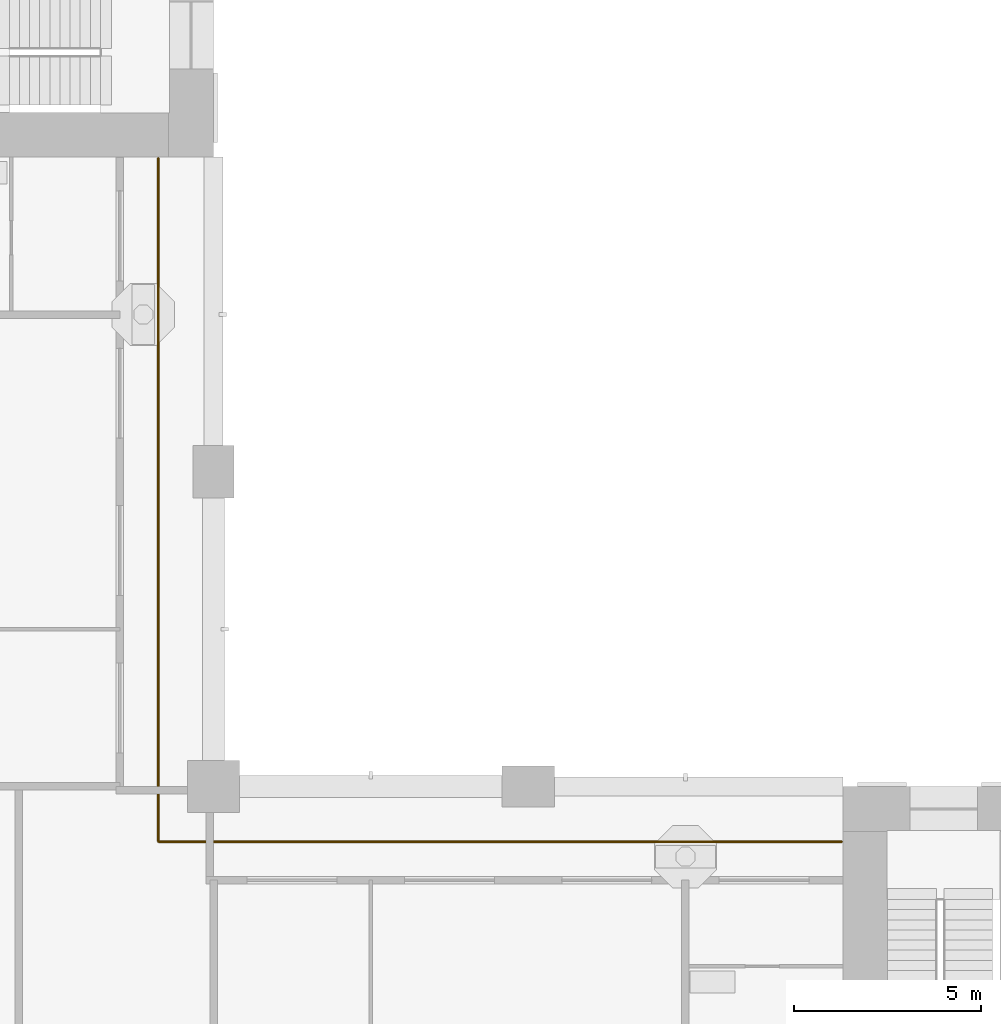
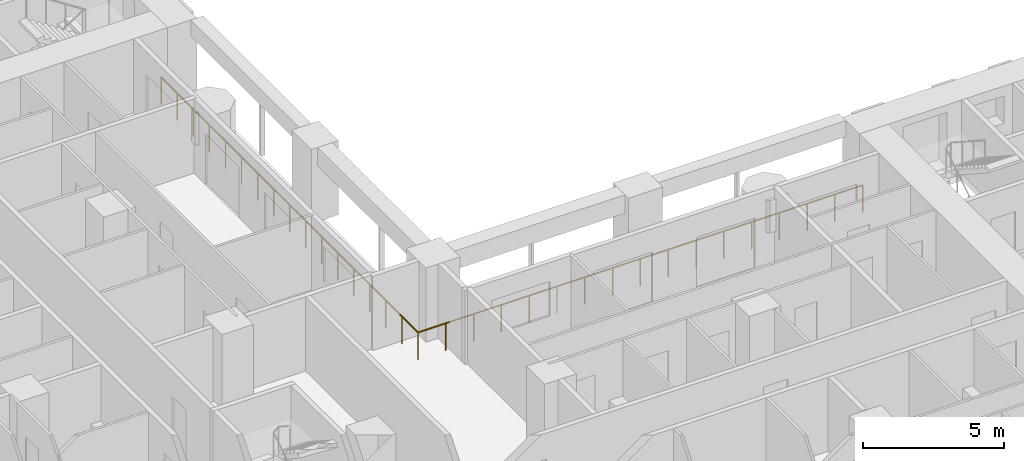
# One storey, part 17 of 21: 1 railing.
"""IFC4 building model written with IfcOpenShell, lengths in metres."""

from ifc_helpers import new_model, si_unit, direction, frame, origin, origin_2d, place, context, subcontext, project, spatial, circle, extrude, material, type_object, element, save


model = new_model("IFC4")

# Units and contexts
model_context = context("Model", 3, precision=1e-05, world=origin(), true_north=direction((0.0, 1.0)))
body_context = subcontext(model_context, "Body", "Model", "MODEL_VIEW")
ifc_project = project(units=[si_unit("LENGTHUNIT", "METRE"), si_unit("AREAUNIT", "SQUARE_METRE"), si_unit("VOLUMEUNIT", "CUBIC_METRE"), si_unit("PLANEANGLEUNIT", "RADIAN"), si_unit("MASSUNIT", "GRAM", prefix="KILO")], contexts=[model_context])

# Site, building, storey
site_placement = place(None, origin())
site = spatial("IfcSite", under=ifc_project, at=site_placement, CompositionType="ELEMENT")
building_placement = place(site_placement, origin())
building = spatial("IfcBuilding", under=site, at=building_placement, Name="Vermilion Gate Residences", CompositionType="ELEMENT")
storey_placement = place(building_placement, frame((0.0, 0.0, 67.199951171875)))
storey = spatial("IfcBuildingStorey", under=building, at=storey_placement, Name="L16", CompositionType="ELEMENT", Elevation=67.199951171875)

# Railing
ifc_material = material(Name="Stainless steel and toughened glass", Category="steel")
railing_type = type_object("IfcRailingType", Name="LOGGIA GUARD STEEL AND GLASS 1200", PredefinedType="GUARDRAIL", material=ifc_material)
railing_placement = place(storey_placement, frame((41.97802734375, 23.72509765625, 0.0)))
element("IfcRailing", 1, at=railing_placement, inside=storey, type_object=railing_type, Name="Loggia guard", PredefinedType="GUARDRAIL", context=body_context, shape_type="SweptSolid", body=[
    extrude(circle(Radius=0.030029296875, at=origin_2d()), frame((0.0, 0.0, 1.169921875), z_axis=(-1.0, 0.0, 0.0), x_axis=(0.0, -1.0, 0.0)), (0.0, 0.0, 1.0), 18.2529296875),
    extrude(circle(Radius=0.030029296875, at=origin_2d()), frame((-18.2529296875, 0.0, 1.169921875), z_axis=(0.0, 1.0, 0.0), x_axis=(-1.0, 0.0, 0.0)), (0.0, 0.0, 1.0), 18.2529296875),
    extrude(circle(Radius=0.02490234375, at=origin_2d()), origin(), (0.0, 0.0, 1.0), 1.139892578125),
    extrude(circle(Radius=0.02490234375, at=origin_2d()), frame((-1.140869140625, 0.0, 0.0)), (0.0, 0.0, 1.0), 1.139892578125),
    extrude(circle(Radius=0.02490234375, at=origin_2d()), frame((-2.28173828125, 0.0, 0.0)), (0.0, 0.0, 1.0), 1.139892578125),
    extrude(circle(Radius=0.02490234375, at=origin_2d()), frame((-3.42236328125, 0.0, 0.0)), (0.0, 0.0, 1.0), 1.139892578125),
    extrude(circle(Radius=0.02490234375, at=origin_2d()), frame((-4.563232421875, 0.0, 0.0)), (0.0, 0.0, 1.0), 1.139892578125),
    extrude(circle(Radius=0.02490234375, at=origin_2d()), frame((-5.7041015625, 0.0, 0.0)), (0.0, 0.0, 1.0), 1.139892578125),
    extrude(circle(Radius=0.02490234375, at=origin_2d()), frame((-6.8447265625, 0.0, 0.0)), (0.0, 0.0, 1.0), 1.139892578125),
    extrude(circle(Radius=0.02490234375, at=origin_2d()), frame((-7.985595703125, 0.0, 0.0)), (0.0, 0.0, 1.0), 1.139892578125),
    extrude(circle(Radius=0.02490234375, at=origin_2d()), frame((-9.12646484375, 0.0, 0.0)), (0.0, 0.0, 1.0), 1.139892578125),
    extrude(circle(Radius=0.02490234375, at=origin_2d()), frame((-10.267333984375, 0.0, 0.0)), (0.0, 0.0, 1.0), 1.139892578125),
    extrude(circle(Radius=0.02490234375, at=origin_2d()), frame((-11.408203125, 0.0, 0.0)), (0.0, 0.0, 1.0), 1.139892578125),
    extrude(circle(Radius=0.02490234375, at=origin_2d()), frame((-12.548828125, 0.0, 0.0)), (0.0, 0.0, 1.0), 1.139892578125),
    extrude(circle(Radius=0.02490234375, at=origin_2d()), frame((-13.689697265625, 0.0, 0.0)), (0.0, 0.0, 1.0), 1.139892578125),
    extrude(circle(Radius=0.02490234375, at=origin_2d()), frame((-14.83056640625, 0.0, 0.0)), (0.0, 0.0, 1.0), 1.139892578125),
    extrude(circle(Radius=0.02490234375, at=origin_2d()), frame((-15.97119140625, 0.0, 0.0)), (0.0, 0.0, 1.0), 1.139892578125),
    extrude(circle(Radius=0.02490234375, at=origin_2d()), frame((-17.112060546875, 0.0, 0.0)), (0.0, 0.0, 1.0), 1.139892578125),
    extrude(circle(Radius=0.02490234375, at=origin_2d()), frame((-18.2529296875, 0.0, 0.0)), (0.0, 0.0, 1.0), 1.139892578125),
    extrude(circle(Radius=0.02490234375, at=origin_2d()), frame((-18.2529296875, 1.140869140625, 0.0)), (0.0, 0.0, 1.0), 1.139892578125),
    extrude(circle(Radius=0.02490234375, at=origin_2d()), frame((-18.2529296875, 2.28173828125, 0.0)), (0.0, 0.0, 1.0), 1.139892578125),
    extrude(circle(Radius=0.02490234375, at=origin_2d()), frame((-18.2529296875, 3.42236328125, 0.0)), (0.0, 0.0, 1.0), 1.139892578125),
    extrude(circle(Radius=0.02490234375, at=origin_2d()), frame((-18.2529296875, 4.563232421875, 0.0)), (0.0, 0.0, 1.0), 1.139892578125),
    extrude(circle(Radius=0.02490234375, at=origin_2d()), frame((-18.2529296875, 5.7041015625, 0.0)), (0.0, 0.0, 1.0), 1.139892578125),
    extrude(circle(Radius=0.02490234375, at=origin_2d()), frame((-18.2529296875, 6.8447265625, 0.0)), (0.0, 0.0, 1.0), 1.139892578125),
    extrude(circle(Radius=0.02490234375, at=origin_2d()), frame((-18.2529296875, 7.985595703125, 0.0)), (0.0, 0.0, 1.0), 1.139892578125),
    extrude(circle(Radius=0.02490234375, at=origin_2d()), frame((-18.2529296875, 9.12646484375, 0.0)), (0.0, 0.0, 1.0), 1.139892578125),
    extrude(circle(Radius=0.02490234375, at=origin_2d()), frame((-18.2529296875, 10.267333984375, 0.0)), (0.0, 0.0, 1.0), 1.139892578125),
    extrude(circle(Radius=0.02490234375, at=origin_2d()), frame((-18.2529296875, 11.408203125, 0.0)), (0.0, 0.0, 1.0), 1.139892578125),
    extrude(circle(Radius=0.02490234375, at=origin_2d()), frame((-18.2529296875, 12.548828125, 0.0)), (0.0, 0.0, 1.0), 1.139892578125),
    extrude(circle(Radius=0.02490234375, at=origin_2d()), frame((-18.2529296875, 13.689697265625, 0.0)), (0.0, 0.0, 1.0), 1.139892578125),
    extrude(circle(Radius=0.02490234375, at=origin_2d()), frame((-18.2529296875, 14.83056640625, 0.0)), (0.0, 0.0, 1.0), 1.139892578125),
    extrude(circle(Radius=0.02490234375, at=origin_2d()), frame((-18.2529296875, 15.97119140625, 0.0)), (0.0, 0.0, 1.0), 1.139892578125),
    extrude(circle(Radius=0.02490234375, at=origin_2d()), frame((-18.2529296875, 17.112060546875, 0.0)), (0.0, 0.0, 1.0), 1.139892578125),
    extrude(circle(Radius=0.02490234375, at=origin_2d()), frame((-18.2529296875, 18.2529296875, 0.0)), (0.0, 0.0, 1.0), 1.139892578125),
])

save(model, "model.ifc")
